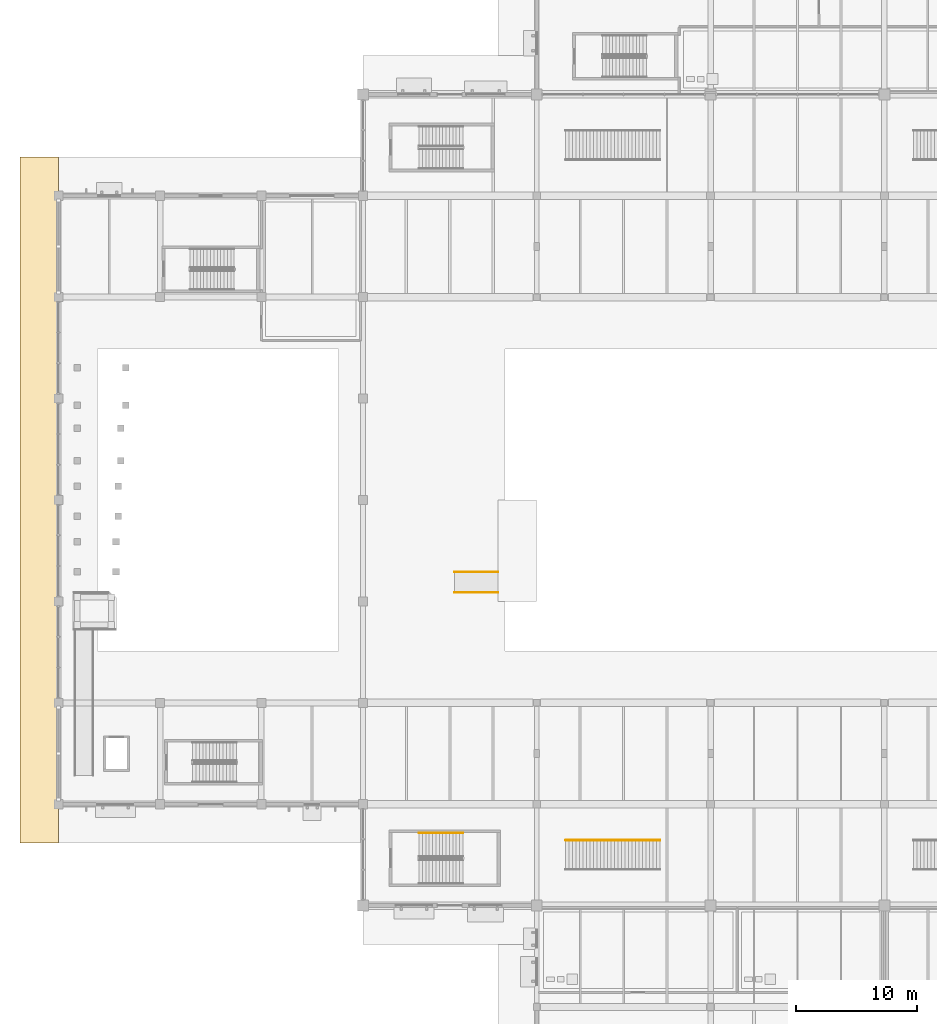
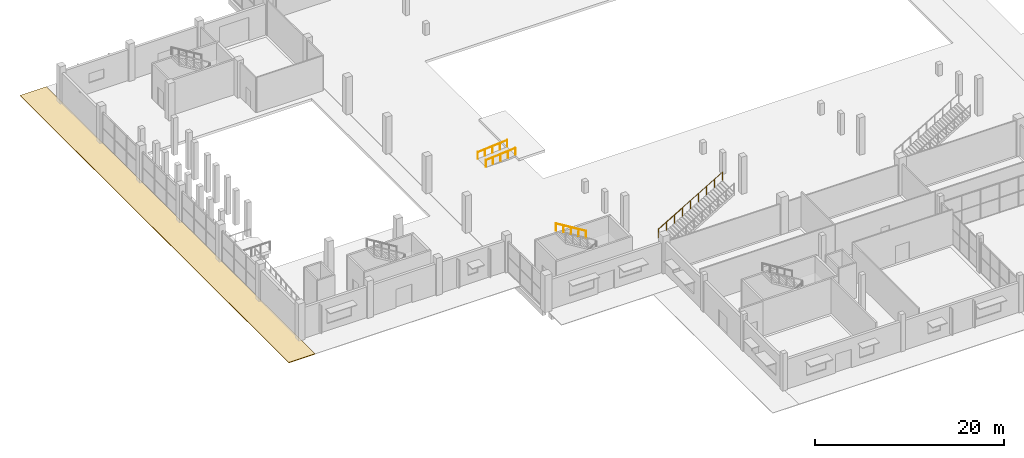
# One storey, part 113 of 130: 4 railings, 1 covering.
"""IFC4 building model written with IfcOpenShell, lengths in metres."""

from ifc_helpers import new_model, si_unit, direction, frame, origin, origin_2d, place, context, subcontext, project, spatial, polyline, circle, outline, extrude, material, layer, layer_set, type_object, element, save


model = new_model("IFC4")

# Units and contexts
model_context = context("Model", 3, precision=1e-05, world=origin(), true_north=direction((0.0, 1.0)))
body_context = subcontext(model_context, "Body", "Model", "MODEL_VIEW")
ifc_project = project(units=[si_unit("LENGTHUNIT", "METRE"), si_unit("AREAUNIT", "SQUARE_METRE"), si_unit("VOLUMEUNIT", "CUBIC_METRE"), si_unit("PLANEANGLEUNIT", "RADIAN"), si_unit("MASSUNIT", "GRAM", prefix="KILO"), si_unit("THERMODYNAMICTEMPERATUREUNIT", "KELVIN")], contexts=[model_context])

# Site, building, storey
site_placement = place(None, origin())
site = spatial("IfcSite", under=ifc_project, at=site_placement, CompositionType="ELEMENT")
building_placement = place(site_placement, origin())
building = spatial("IfcBuilding", under=site, at=building_placement, Name="Nduvali Passage Aquatics Centre", CompositionType="ELEMENT")
storey_placement = place(building_placement, origin())
storey = spatial("IfcBuildingStorey", under=building, at=storey_placement, Name="L00", CompositionType="ELEMENT", Elevation=0.0)

# Railings
ifc_material_1 = material(Name="Stainless steel balustrade", Category="steel")
railing_type_1 = type_object("IfcRailingType", Name="INT-RLG-GRD110", PredefinedType="GUARDRAIL", material=ifc_material_1)
railing_1_placement = place(storey_placement, frame((42.0, 30.614990234375, 0.17138671875)))
element("IfcRailing", 1, at=railing_1_placement, inside=storey, type_object=railing_type_1, Name="Vomitory VST1 Guardrail 2", PredefinedType="GUARDRAIL", context=body_context, shape_type="SweptSolid", body=[
    extrude(circle(Radius=0.02392578125, at=origin_2d()), frame((0.0, 0.0, 1.076171875), z_axis=(0.860839950906, 0.0, 0.508875799115), x_axis=(0.0, 1.0, 0.0)), (0.0, 0.0, 1.0), 9.095947265625),
    extrude(circle(Radius=0.02099609375, at=origin_2d()), origin(), (0.0, 0.0, 1.0), 1.052001953125),
    extrude(circle(Radius=0.02099609375, at=origin_2d()), frame((0.978759765625, 0.0, 0.57861328125)), (0.0, 0.0, 1.0), 1.052001953125),
    extrude(circle(Radius=0.02099609375, at=origin_2d()), frame((1.95751953125, 0.0, 1.1572265625)), (0.0, 0.0, 1.0), 1.052001953125),
    extrude(circle(Radius=0.02099609375, at=origin_2d()), frame((2.936279296875, 0.0, 1.73583984375)), (0.0, 0.0, 1.0), 1.052001953125),
    extrude(circle(Radius=0.02099609375, at=origin_2d()), frame((3.9150390625, 0.0, 2.314453125)), (0.0, 0.0, 1.0), 1.052001953125),
    extrude(circle(Radius=0.02099609375, at=origin_2d()), frame((4.893798828125, 0.0, 2.892822265625)), (0.0, 0.0, 1.0), 1.052001953125),
    extrude(circle(Radius=0.02099609375, at=origin_2d()), frame((5.87255859375, 0.0, 3.471435546875)), (0.0, 0.0, 1.0), 1.052001953125),
    extrude(circle(Radius=0.02099609375, at=origin_2d()), frame((6.851318359375, 0.0, 4.050048828125)), (0.0, 0.0, 1.0), 1.052001953125),
    extrude(circle(Radius=0.02099609375, at=origin_2d()), frame((7.830078125, 0.0, 4.628662109375)), (0.0, 0.0, 1.0), 1.052001953125),
])
railing_type_2 = type_object("IfcRailingType", Name="INT-RLG-HND90", PredefinedType="HANDRAIL", material=ifc_material_1)
railing_2_placement = place(storey_placement, frame((33.489990234375, 31.199951171875, 2.746337890625)))
element("IfcRailing", 2, at=railing_2_placement, inside=storey, type_object=railing_type_2, Name="L00 ST13 stair handrail 2", PredefinedType="HANDRAIL", context=body_context, shape_type="SweptSolid", body=[
    extrude(circle(Radius=0.02392578125, at=origin_2d()), frame((0.0, 0.0, 0.8759765625), z_axis=(-0.852850264322, 0.0, 0.5221555579), x_axis=(0.0, -1.0, 0.0)), (0.0, 0.0, 1.0), 4.267822265625),
    extrude(circle(Radius=0.02099609375, at=origin_2d()), origin(), (0.0, 0.0, 1.0), 0.851806640625),
    extrude(circle(Radius=0.02099609375, at=origin_2d()), frame((-0.909912109375, 0.0, 0.55712890625)), (0.0, 0.0, 1.0), 0.851806640625),
    extrude(circle(Radius=0.02099609375, at=origin_2d()), frame((-1.81982421875, 0.0, 1.1142578125)), (0.0, 0.0, 1.0), 0.851806640625),
    extrude(circle(Radius=0.02099609375, at=origin_2d()), frame((-2.72998046875, 0.0, 1.67138671875)), (0.0, 0.0, 1.0), 0.851806640625),
    extrude(circle(Radius=0.02099609375, at=origin_2d()), frame((-3.639892578125, 0.0, 2.228515625)), (0.0, 0.0, 1.0), 0.851806640625),
])
for number, where, name in (
    (3, (32.800048828125, 51.14990234375, 0.0), "Competition Poolside Timing Plinth Ramp PR1 Handrail 1"),
    (4, (32.800048828125, 52.85009765625, 0.0), "Competition Poolside Timing Plinth Ramp PR1 Handrail 2"),
):
    element("IfcRailing", number, at=place(storey_placement, frame(where)), inside=storey, type_object=railing_type_2, Name=name, PredefinedType="HANDRAIL", context=body_context, shape_type="SweptSolid", body=[
        extrude(circle(Radius=0.02392578125, at=origin_2d()), frame((0.0, 0.0, 0.89599609375), z_axis=(0.996544359788, 0.0, 0.083062259626), x_axis=(0.0, 1.0, 0.0)), (0.0, 0.0, 1.0), 3.6123046875),
        extrude(circle(Radius=0.02099609375, at=origin_2d()), origin(), (0.0, 0.0, 1.0), 0.871826171875),
        extrude(circle(Radius=0.02099609375, at=origin_2d()), frame((0.89990234375, 0.0, 0.074951171875)), (0.0, 0.0, 1.0), 0.871826171875),
        extrude(circle(Radius=0.02099609375, at=origin_2d()), frame((1.7998046875, 0.0, 0.14990234375)), (0.0, 0.0, 1.0), 0.871826171875),
        extrude(circle(Radius=0.02099609375, at=origin_2d()), frame((2.699951171875, 0.0, 0.22509765625)), (0.0, 0.0, 1.0), 0.871826171875),
        extrude(circle(Radius=0.02099609375, at=origin_2d()), frame((3.599853515625, 0.0, 0.300048828125)), (0.0, 0.0, 1.0), 0.871826171875),
    ])

# Covering
ifc_material_2 = material(Name="Coral-stone masonry blockwork", Category="masonry")
ifc_layer = layer(ifc_material_2, 0.080078125, Name="Coral-stone masonry blockwork")
ifc_layer_set = layer_set([ifc_layer], Name="Coral-stone masonry blockwork")
covering_type = type_object("IfcCoveringType", Name="STR-COV-PAV80", PredefinedType="USERDEFINED", material=ifc_layer_set)
covering_placement = place(storey_placement, frame((0.0, 0.0, -0.080078125)))
element("IfcCovering", 5, at=covering_placement, inside=storey, type_object=covering_type, Name="L00 West Diving Pavilion Perimeter Paving", ObjectType="PAVING", PredefinedType="USERDEFINED", context=body_context, shape_type="SweptSolid", body=[
    extrude(outline(polyline([(-3.199951171875, 30.39990234375), (0.0, 30.39990234375), (0.0, 87.199951171875), (-3.199951171875, 87.199951171875), (-3.199951171875, 30.39990234375)])), origin(), (0.0, 0.0, 1.0), 0.080078125),
])

save(model, "model.ifc")
